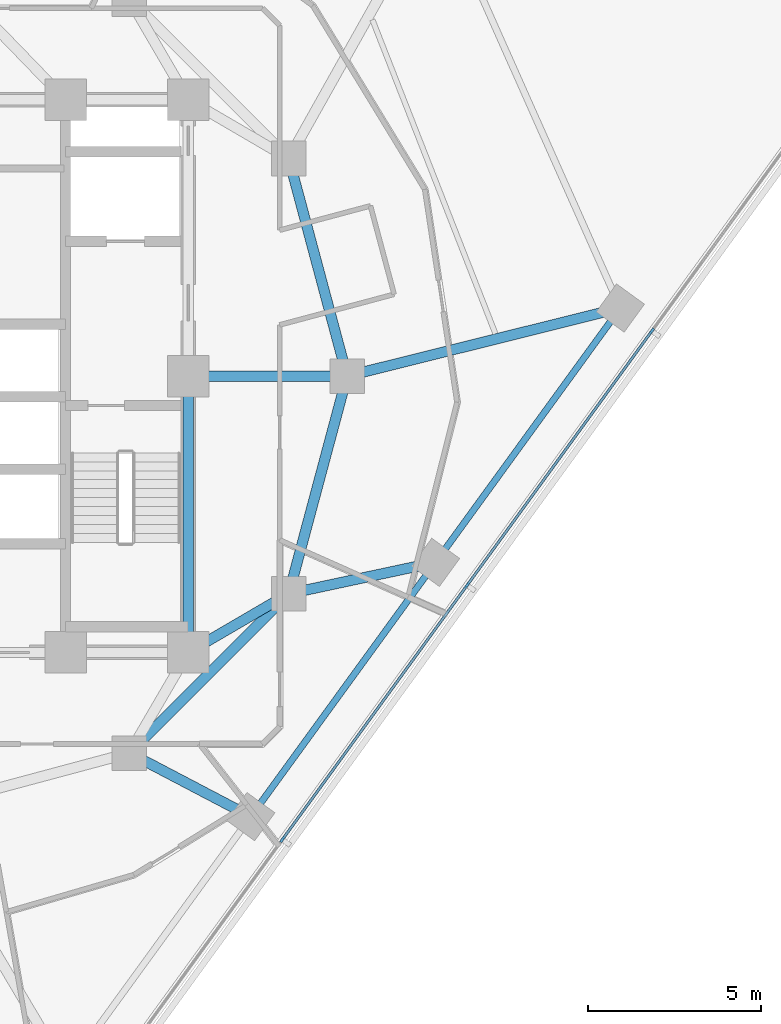
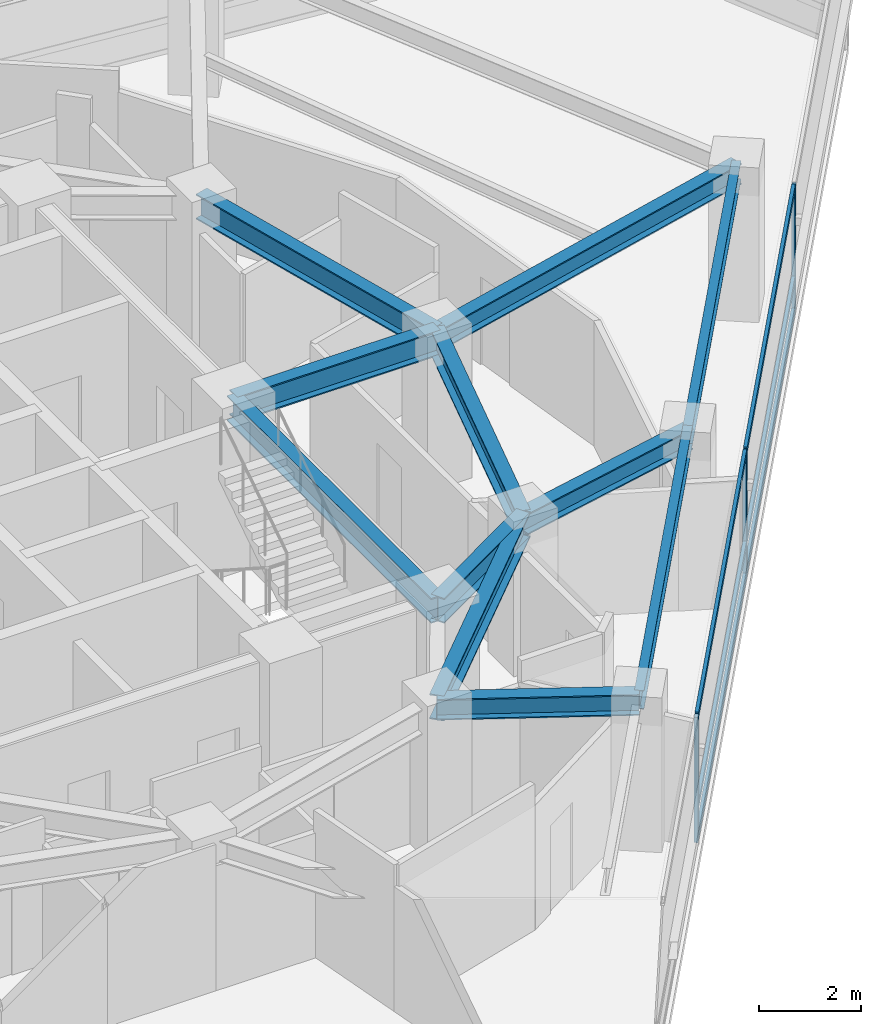
# One storey, part 4 of 15: 11 beams, 9 members, 1 element without a shape of its own.
"""IFC4 building model written with IfcOpenShell, lengths in metres."""

from ifc_helpers import new_model, si_unit, direction, frame, origin, origin_2d, place, context, subcontext, project, spatial, rectangle, i_section, extrude, material, layer, layer_set, material_profile, profile_set, type_object, element, aggregate, save


model = new_model("IFC4")

# Units and contexts
model_context = context("Model", 3, precision=1e-05, world=origin(), true_north=direction((0.0, 1.0)))
body_context = subcontext(model_context, "Body", "Model", "MODEL_VIEW")
ifc_project = project(units=[si_unit("LENGTHUNIT", "METRE"), si_unit("AREAUNIT", "SQUARE_METRE"), si_unit("VOLUMEUNIT", "CUBIC_METRE"), si_unit("PLANEANGLEUNIT", "RADIAN"), si_unit("MASSUNIT", "GRAM", prefix="KILO")], contexts=[model_context])

# Site, building, storey
site_placement = place(None, origin())
site = spatial("IfcSite", under=ifc_project, at=site_placement, CompositionType="ELEMENT")
building_placement = place(site_placement, origin())
building = spatial("IfcBuilding", under=site, at=building_placement, Name="Terralouvre Media Tower", CompositionType="ELEMENT")
storey_placement = place(building_placement, frame((0.0, 0.0, 237.39990234375)))
storey = spatial("IfcBuildingStorey", under=building, at=storey_placement, Name="L61", CompositionType="ELEMENT", Elevation=237.39990234375)

# Curtain wall, members
ifc_material_1 = material(Name="Low-iron laminated double glazing with solar-control coating", Category="glass")
ifc_layer = layer(ifc_material_1, 0.1650390625, Name="Upper Executive Tower Curtain Wall CW-05")
ifc_layer_set = layer_set([ifc_layer], Name="Low-iron laminated double glazing with solar-control coating")
curtain_wall_type = type_object("IfcCurtainWallType", Name="Upper Executive Tower Curtain Wall CW-05", PredefinedType="NOTDEFINED", material=ifc_layer_set)
curtain_wall_placement = place(storey_placement, origin())
curtain_wall = element("IfcCurtainWall", 1, at=curtain_wall_placement, inside=storey, type_object=curtain_wall_type, Name="L61 Facade Curtain Wall F0", PredefinedType="NOTDEFINED")
ifc_material_2 = material(Name="Anodised extruded aluminium 6063-T6", Category="aluminium")
ifc_material_profile_1 = material_profile(ifc_material_2, rectangle(XDim=0.074951171875, YDim=0.14990234375, at=origin_2d()), Name="ALU 75x150")
ifc_profile_set_1 = profile_set([ifc_material_profile_1], Name="Anodised extruded aluminium 6063-T6")
member_type_1 = type_object("IfcMemberType", Name="Curtain-Wall Horizontal Transom TR-150", PredefinedType="USERDEFINED", material=ifc_profile_set_1)
member_1_placement = place(storey_placement, frame((10.748779296875, -13.38720703125, 0.03759765625), z_axis=(0.587772727709, 0.809026093869, 0.0), x_axis=(-0.809026093869, 0.587772727709, 0.0)))
member_1 = element("IfcMember", 2, at=member_1_placement, type_object=member_type_1, Name="CW-05 transom 3.1", ObjectType="TRANSOM", PredefinedType="USERDEFINED", context=body_context, shape_type="SweptSolid", body=[
    extrude(rectangle(XDim=0.074951171875, YDim=0.14990234375, at=origin_2d()), origin(), (0.0, 0.0, 1.0), 9.025146484375),
])
member_2_placement = place(storey_placement, frame((10.748779296875, -13.38720703125, 0.800048828125), z_axis=(0.587772727709, 0.809026093869, 0.0), x_axis=(-0.809026093869, 0.587772727709, 0.0)))
member_2 = element("IfcMember", 3, at=member_2_placement, type_object=member_type_1, Name="CW-05 transom 3.2", ObjectType="TRANSOM", PredefinedType="USERDEFINED", context=body_context, shape_type="SweptSolid", body=[
    extrude(rectangle(XDim=0.074951171875, YDim=0.14990234375, at=origin_2d()), origin(), (0.0, 0.0, 1.0), 9.025146484375),
])
member_3_placement = place(storey_placement, frame((10.748779296875, -13.38720703125, 2.962646484375), z_axis=(0.587772727709, 0.809026093869, 0.0), x_axis=(-0.809026093869, 0.587772727709, 0.0)))
member_3 = element("IfcMember", 4, at=member_3_placement, type_object=member_type_1, Name="CW-05 transom 3.3", ObjectType="TRANSOM", PredefinedType="USERDEFINED", context=body_context, shape_type="SweptSolid", body=[
    extrude(rectangle(XDim=0.074951171875, YDim=0.14990234375, at=origin_2d()), origin(), (0.0, 0.0, 1.0), 9.025146484375),
])
member_4_placement = place(storey_placement, frame((16.09765625, -6.025146484375, 0.03759765625), z_axis=(0.587772727709, 0.809026093869, 0.0), x_axis=(-0.809026093869, 0.587772727709, 0.0)))
member_4 = element("IfcMember", 5, at=member_4_placement, type_object=member_type_1, Name="CW-05 transom 4.1", ObjectType="TRANSOM", PredefinedType="USERDEFINED", context=body_context, shape_type="SweptSolid", body=[
    extrude(rectangle(XDim=0.074951171875, YDim=0.14990234375, at=origin_2d()), origin(), (0.0, 0.0, 1.0), 9.025146484375),
])
member_5_placement = place(storey_placement, frame((16.09765625, -6.025146484375, 0.800048828125), z_axis=(0.587772727709, 0.809026093869, 0.0), x_axis=(-0.809026093869, 0.587772727709, 0.0)))
member_5 = element("IfcMember", 6, at=member_5_placement, type_object=member_type_1, Name="CW-05 transom 4.2", ObjectType="TRANSOM", PredefinedType="USERDEFINED", context=body_context, shape_type="SweptSolid", body=[
    extrude(rectangle(XDim=0.074951171875, YDim=0.14990234375, at=origin_2d()), origin(), (0.0, 0.0, 1.0), 9.025146484375),
])
member_6_placement = place(storey_placement, frame((16.09765625, -6.025146484375, 2.962646484375), z_axis=(0.587772727709, 0.809026093869, 0.0), x_axis=(-0.809026093869, 0.587772727709, 0.0)))
member_6 = element("IfcMember", 7, at=member_6_placement, type_object=member_type_1, Name="CW-05 transom 4.3", ObjectType="TRANSOM", PredefinedType="USERDEFINED", context=body_context, shape_type="SweptSolid", body=[
    extrude(rectangle(XDim=0.074951171875, YDim=0.14990234375, at=origin_2d()), origin(), (0.0, 0.0, 1.0), 9.025146484375),
])
ifc_material_3 = material(Name="Anodised extruded aluminium 6063-T6", Category="aluminium")
ifc_material_profile_2 = material_profile(ifc_material_3, rectangle(XDim=0.074951171875, YDim=0.179931640625, at=origin_2d()), Name="ALU 75x180")
ifc_profile_set_2 = profile_set([ifc_material_profile_2], Name="Anodised extruded aluminium 6063-T6")
member_type_2 = type_object("IfcMemberType", Name="Curtain-Wall Vertical Mullion ML-180", PredefinedType="MULLION", material=ifc_profile_set_2)
member_7_placement = place(storey_placement, frame((10.726806640625, -13.41748046875, 0.0), z_axis=(0.0, 0.0, 1.0), x_axis=(-0.809016959074, 0.587785300879, 0.0)))
member_7 = element("IfcMember", 8, at=member_7_placement, type_object=member_type_2, Name="CW-05 mullion 3", PredefinedType="MULLION", context=body_context, shape_type="SweptSolid", body=[
    extrude(rectangle(XDim=0.074951171875, YDim=0.179931640625, at=origin_2d()), origin(), (0.0, 0.0, 1.0), 3.0),
])
member_8_placement = place(storey_placement, frame((16.075439453125, -6.055419921875, 0.0), z_axis=(0.0, 0.0, 1.0), x_axis=(-0.809016959074, 0.587785300879, 0.0)))
member_8 = element("IfcMember", 9, at=member_8_placement, type_object=member_type_2, Name="CW-05 mullion 4", PredefinedType="MULLION", context=body_context, shape_type="SweptSolid", body=[
    extrude(rectangle(XDim=0.074951171875, YDim=0.179931640625, at=origin_2d()), origin(), (0.0, 0.0, 1.0), 3.0),
])
member_9_placement = place(storey_placement, frame((21.42431640625, 1.306640625, 0.0), z_axis=(0.0, 0.0, 1.0), x_axis=(-0.809016959074, 0.587785300879, 0.0)))
member_9 = element("IfcMember", 10, at=member_9_placement, type_object=member_type_2, Name="CW-05 mullion 5", PredefinedType="MULLION", context=body_context, shape_type="SweptSolid", body=[
    extrude(rectangle(XDim=0.074951171875, YDim=0.179931640625, at=origin_2d()), origin(), (0.0, 0.0, 1.0), 3.0),
])
aggregate(curtain_wall, [member_7, member_8, member_9, member_1, member_2, member_3, member_4, member_5, member_6])

# Beams
ifc_material_4 = material(Name="Structural steel S355J2", Category="steel")
ifc_material_profile_3 = material_profile(ifc_material_4, i_section(OverallWidth=0.18994140625, OverallDepth=0.449951171875, WebThickness=0.009521484375, FlangeThickness=0.0146484375, at=origin_2d()), Name="IPE 450")
ifc_profile_set_3 = profile_set([ifc_material_profile_3], Name="Structural steel S355J2")
beam_type_1 = type_object("IfcBeamType", Name="Perimeter Spandrel Beam SPB-450 (IPE 450)", PredefinedType="SPANDREL", material=ifc_profile_set_3)
for number, where, z_axis, x_axis, name in (
    (11, (9.8125, -12.75341796875, 3.275146484375), (0.587787185033, 0.809015590153, 0.0), (-0.809015590153, 0.587787185033, 0.0), "L61 Framing Beam BM-L61-PR05"),
    (12, (15.161376953125, -5.391357421875, 3.275146484375), (0.587787185033, 0.809015590153, 0.0), (-0.809015590153, 0.587787185033, 0.0), "L61 Framing Beam BM-L61-PR06"),
):
    element("IfcBeam", number, at=place(storey_placement, frame(where, z_axis=z_axis, x_axis=x_axis)), inside=storey, type_object=beam_type_1, Name=name, PredefinedType="SPANDREL", context=body_context, shape_type="SweptSolid", body=[
        extrude(i_section(OverallWidth=0.18994140625, OverallDepth=0.449951171875, WebThickness=0.009521484375, FlangeThickness=0.0146484375, at=origin_2d()), origin(), (0.0, 0.0, 1.0), 9.10009765625),
    ])
ifc_material_5 = material(Name="Structural steel S355J2", Category="steel")
ifc_material_profile_4 = material_profile(ifc_material_5, i_section(OverallWidth=0.300048828125, OverallDepth=0.5, WebThickness=0.014404296875, FlangeThickness=0.028076171875, at=origin_2d()), Name="HEB 500")
ifc_profile_set_4 = profile_set([ifc_material_profile_4], Name="Structural steel S355J2")
beam_type_2 = type_object("IfcBeamType", Name="Primary Floor Girder B-HEB500 (HEB 500)", PredefinedType="BEAM", material=ifc_profile_set_4)
beam_1_placement = place(storey_placement, frame((6.300048828125, -10.911865234375, 3.25), z_axis=(0.885655556229, -0.464342799794, 0.0), x_axis=(0.464342799794, 0.885655556229, 0.0)))
element("IfcBeam", 13, at=beam_1_placement, inside=storey, type_object=beam_type_2, Name="L61 Framing Beam BM-L61-RD05", PredefinedType="BEAM", context=body_context, shape_type="SweptSolid", body=[
    extrude(i_section(OverallWidth=0.300048828125, OverallDepth=0.5, WebThickness=0.014404296875, FlangeThickness=0.028076171875, at=origin_2d()), origin(), (0.0, 0.0, 1.0), 3.9658203125),
])
beam_2_placement = place(storey_placement, frame((10.911865234375, -6.300048828125, 3.25), z_axis=(0.977892761282, 0.209107023871, 0.0), x_axis=(-0.209107023871, 0.977892761282, 0.0)))
element("IfcBeam", 14, at=beam_2_placement, inside=storey, type_object=beam_type_2, Name="L61 Framing Beam BM-L61-RD06", PredefinedType="BEAM", context=body_context, shape_type="SweptSolid", body=[
    extrude(i_section(OverallWidth=0.300048828125, OverallDepth=0.5, WebThickness=0.014404296875, FlangeThickness=0.028076171875, at=origin_2d()), origin(), (0.0, 0.0, 1.0), 4.345458984375),
])
beam_3_placement = place(storey_placement, frame((12.60009765625, 0.0, 3.25), z_axis=(0.970339488521, 0.24174630714, 0.0), x_axis=(-0.24174630714, 0.970339488521, 0.0)))
element("IfcBeam", 15, at=beam_3_placement, inside=storey, type_object=beam_type_2, Name="L61 Framing Beam BM-L61-RD07", PredefinedType="BEAM", context=body_context, shape_type="SweptSolid", body=[
    extrude(i_section(OverallWidth=0.300048828125, OverallDepth=0.5, WebThickness=0.014404296875, FlangeThickness=0.028076171875, at=origin_2d()), origin(), (0.0, 0.0, 1.0), 8.15185546875),
])
ifc_material_6 = material(Name="Structural steel S460M", Category="steel")
ifc_material_profile_5 = material_profile(ifc_material_6, i_section(OverallWidth=0.300048828125, OverallDepth=0.60009765625, WebThickness=0.015380859375, FlangeThickness=0.030029296875, at=origin_2d()), Name="HEB 600")
ifc_profile_set_5 = profile_set([ifc_material_profile_5], Name="Structural steel S460M")
beam_type_3 = type_object("IfcBeamType", Name="Primary Floor Girder B-HEB600 (HEB 600)", PredefinedType="BEAM", material=ifc_profile_set_5)
beam_4_placement = place(storey_placement, frame((8.0, -8.0, 3.2001953125), z_axis=(0.0, 1.0, 0.0), x_axis=(-1.0, 0.0, 0.0)))
element("IfcBeam", 16, at=beam_4_placement, inside=storey, type_object=beam_type_3, Name="L61 Framing Beam BM-L61-CPR04", PredefinedType="BEAM", context=body_context, shape_type="SweptSolid", body=[
    extrude(i_section(OverallWidth=0.300048828125, OverallDepth=0.60009765625, WebThickness=0.015380859375, FlangeThickness=0.030029296875, at=origin_2d()), origin(), (0.0, 0.0, 1.0), 8.0),
])
beam_5_placement = place(storey_placement, frame((6.300048828125, -10.911865234375, 3.2001953125), z_axis=(0.707106781187, 0.707106781187, 0.0), x_axis=(-0.707106781187, 0.707106781187, 0.0)))
element("IfcBeam", 17, at=beam_5_placement, inside=storey, type_object=beam_type_3, Name="L61 Framing Beam BM-L61-MR04", PredefinedType="BEAM", context=body_context, shape_type="SweptSolid", body=[
    extrude(i_section(OverallWidth=0.300048828125, OverallDepth=0.60009765625, WebThickness=0.015380859375, FlangeThickness=0.030029296875, at=origin_2d()), origin(), (0.0, 0.0, 1.0), 6.52197265625),
])
for number, where, z_axis, x_axis, name in (
    (18, (10.911865234375, -6.300048828125, 3.2001953125), (0.258838989821, 0.965920481897, 0.0), (-0.965920481897, 0.258838989821, 0.0), "L61 Framing Beam BM-L61-MR05"),
    (19, (12.60009765625, 0.0, 3.2001953125), (-0.258838989821, 0.965920481897, 0.0), (-0.965920481897, -0.258838989821, 0.0), "L61 Framing Beam BM-L61-MR06"),
):
    element("IfcBeam", number, at=place(storey_placement, frame(where, z_axis=z_axis, x_axis=x_axis)), inside=storey, type_object=beam_type_3, Name=name, PredefinedType="BEAM", context=body_context, shape_type="SweptSolid", body=[
        extrude(i_section(OverallWidth=0.300048828125, OverallDepth=0.60009765625, WebThickness=0.015380859375, FlangeThickness=0.030029296875, at=origin_2d()), origin(), (0.0, 0.0, 1.0), 6.522216796875),
    ])
beam_6_placement = place(storey_placement, frame((8.0, -8.0, 3.2001953125), z_axis=(0.863602894532, 0.504172629717, 0.0), x_axis=(-0.504172629717, 0.863602894532, 0.0)))
element("IfcBeam", 20, at=beam_6_placement, inside=storey, type_object=beam_type_3, Name="L61 Framing Beam BM-L61-CM05", PredefinedType="BEAM", context=body_context, shape_type="SweptSolid", body=[
    extrude(i_section(OverallWidth=0.300048828125, OverallDepth=0.60009765625, WebThickness=0.015380859375, FlangeThickness=0.030029296875, at=origin_2d()), origin(), (0.0, 0.0, 1.0), 3.371826171875),
])
beam_7_placement = place(storey_placement, frame((8.0, 0.0, 3.2001953125), z_axis=(1.0, 0.0, 0.0), x_axis=(0.0, 1.0, 0.0)))
element("IfcBeam", 21, at=beam_7_placement, inside=storey, type_object=beam_type_3, Name="L61 Framing Beam BM-L61-CM06", PredefinedType="BEAM", context=body_context, shape_type="SweptSolid", body=[
    extrude(i_section(OverallWidth=0.300048828125, OverallDepth=0.60009765625, WebThickness=0.015380859375, FlangeThickness=0.030029296875, at=origin_2d()), origin(), (0.0, 0.0, 1.0), 4.60009765625),
])

save(model, "model.ifc")
